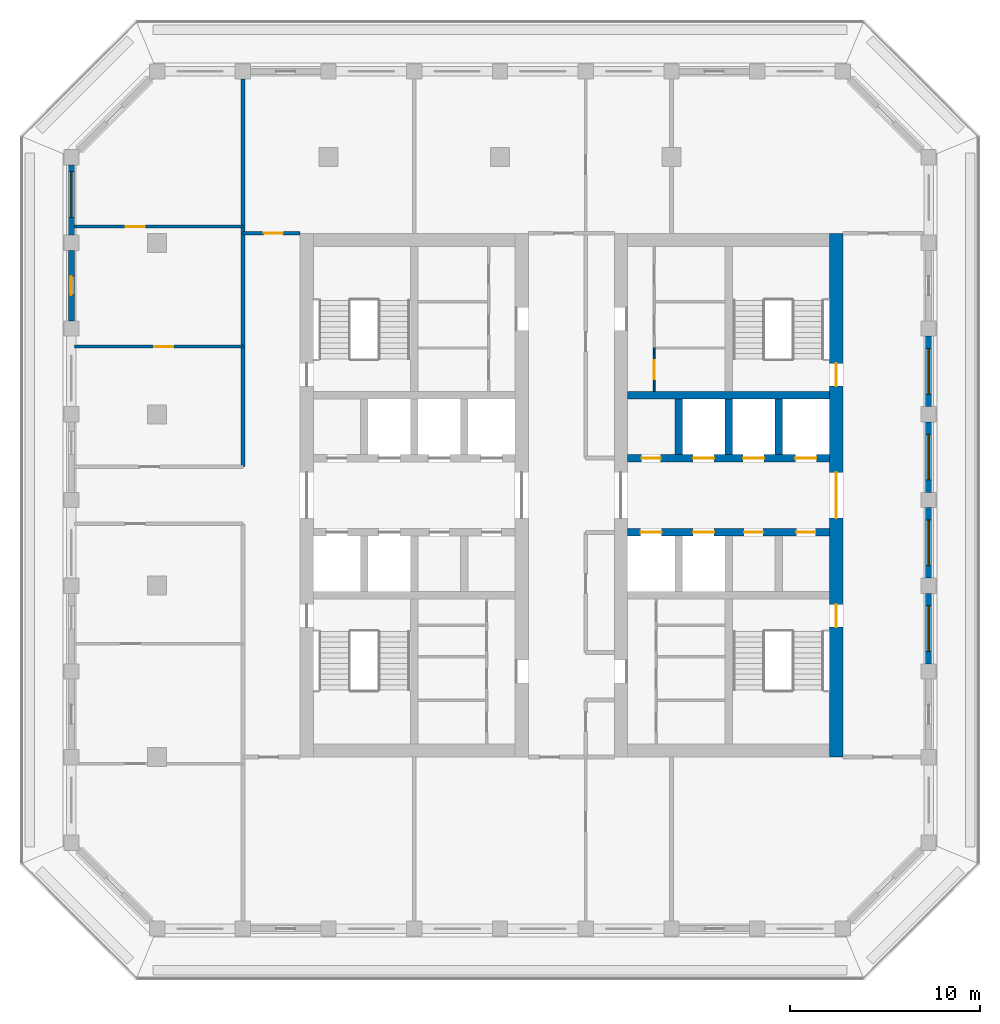
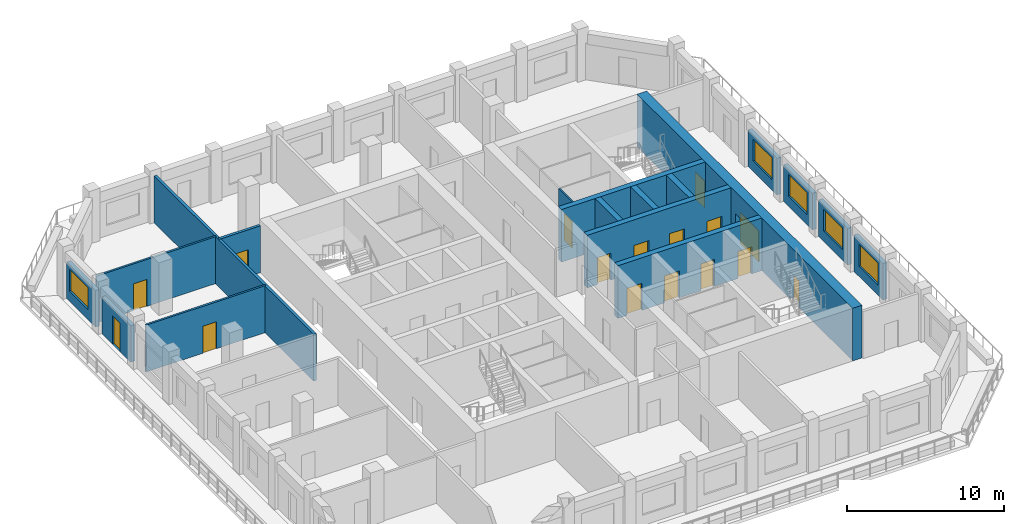
# One storey, part 5 of 14: 18 walls, 16 doors, 5 windows, 21 openings.
"""IFC4 building model written with IfcOpenShell, lengths in metres."""

from ifc_helpers import new_model, si_unit, direction, frame, frame_2d, origin, place, context, subcontext, project, spatial, rectangle, extrude, material, layer, layer_set, type_object, element, fill, save


model = new_model("IFC4")

# Units and contexts
model_context = context("Model", 3, precision=1e-05, world=origin(), true_north=direction((0.0, 1.0)))
body_context = subcontext(model_context, "Body", "Model", "MODEL_VIEW")
ifc_project = project(units=[si_unit("LENGTHUNIT", "METRE"), si_unit("AREAUNIT", "SQUARE_METRE"), si_unit("VOLUMEUNIT", "CUBIC_METRE"), si_unit("PLANEANGLEUNIT", "RADIAN"), si_unit("MASSUNIT", "GRAM", prefix="KILO")], contexts=[model_context])

# Site, building, storey
site_placement = place(None, origin())
site = spatial("IfcSite", under=ifc_project, at=site_placement, CompositionType="ELEMENT")
building_placement = place(site_placement, origin())
building = spatial("IfcBuilding", under=site, at=building_placement, Name="Corbel Stack Research Tower", CompositionType="ELEMENT")
storey_placement = place(building_placement, frame((0.0, 0.0, 286.800048828125)))
storey = spatial("IfcBuildingStorey", under=building, at=storey_placement, Name="L65", CompositionType="ELEMENT", Elevation=286.800048828125)

# Wall, openings, doors
ifc_material_1 = material(Name="Concrete C60/75", Category="concrete")
ifc_layer_1 = layer(ifc_material_1, 0.39990234375)
ifc_layer_set_1 = layer_set([ifc_layer_1], Name="Concrete C60/75")
wall_type_1 = type_object("IfcWallType", Name="CW-400-60", PredefinedType="SHEAR", material=ifc_layer_set_1)
wall_1_placement = place(storey_placement, frame((6.699951171875, 2.800048828125, 0.0), z_axis=(0.0, 0.0, 1.0), x_axis=(1.0, 0.0, 0.0)))
wall_1 = element("IfcWall", 1, at=wall_1_placement, inside=storey, type_object=wall_type_1, Name="East core wall, lobby south L65", PredefinedType="SHEAR", context=body_context, shape_type="SweptSolid", body=[
    extrude(rectangle(XDim=10.60009765625, YDim=0.39990234375, at=frame_2d((5.300048828125, 0.0))), origin(), (0.0, 0.0, 1.0), 4.099853515625),
])
opening_1_placement = place(wall_1_placement, frame((0.6875, 0.0, 0.0)))
opening_1 = element("IfcOpeningElement", 2, at=opening_1_placement, cuts=wall_1, Name="Opening LD-FS2", PredefinedType="OPENING", context=body_context, shape_type="SweptSolid", body=[
    extrude(rectangle(XDim=1.10009765625, YDim=2.10009765625, at=frame_2d((0.550048828125, 1.050048828125))), frame((0.0, 0.2099609375, 0.0), z_axis=(0.0, -1.0, 0.0), x_axis=(1.0, 0.0, 0.0)), (0.0, 0.0, 1.0), 0.419921875),
])
opening_2_placement = place(wall_1_placement, frame((3.4375, 0.0, 0.0)))
opening_2 = element("IfcOpeningElement", 3, at=opening_2_placement, cuts=wall_1, Name="Opening LD-GL2", PredefinedType="OPENING", context=body_context, shape_type="SweptSolid", body=[
    extrude(rectangle(XDim=1.10009765625, YDim=2.10009765625, at=frame_2d((0.550048828125, 1.050048828125))), frame((0.0, 0.2099609375, 0.0), z_axis=(0.0, -1.0, 0.0), x_axis=(1.0, 0.0, 0.0)), (0.0, 0.0, 1.0), 0.419921875),
])
opening_3_placement = place(wall_1_placement, frame((6.112548828125, 0.0, 0.0)))
opening_3 = element("IfcOpeningElement", 4, at=opening_3_placement, cuts=wall_1, Name="Opening CR-E42-S3", PredefinedType="OPENING", context=body_context, shape_type="SweptSolid", body=[
    extrude(rectangle(XDim=1.0, YDim=2.10009765625, at=frame_2d((0.5, 1.050048828125))), frame((0.0, 0.2099609375, 0.0), z_axis=(0.0, -1.0, 0.0), x_axis=(1.0, 0.0, 0.0)), (0.0, 0.0, 1.0), 0.419921875),
])
opening_4_placement = place(wall_1_placement, frame((8.862548828125, 0.0, 0.0)))
opening_4 = element("IfcOpeningElement", 5, at=opening_4_placement, cuts=wall_1, Name="Opening CR-E42-S4", PredefinedType="OPENING", context=body_context, shape_type="SweptSolid", body=[
    extrude(rectangle(XDim=1.0, YDim=2.10009765625, at=frame_2d((0.5, 1.050048828125))), frame((0.0, 0.2099609375, 0.0), z_axis=(0.0, -1.0, 0.0), x_axis=(1.0, 0.0, 0.0)), (0.0, 0.0, 1.0), 0.419921875),
])
ifc_material_2 = material(Name="Stainless steel landing door", Category="steel")
door_type_1 = type_object("IfcDoorType", Name="Lift landing door 1100 x 2100", OperationType="DOUBLE_DOOR_SLIDING", PredefinedType="DOOR", material=ifc_material_2)
door_1_placement = place(opening_1_placement, origin())
door_1 = element("IfcDoor", 6, at=door_1_placement, inside=storey, type_object=door_type_1, Name="Landing door FS2", OperationType="DOUBLE_DOOR_SLIDING", OverallHeight=2.10009765625, OverallWidth=1.10009765625, PredefinedType="DOOR", context=body_context, shape_type="SweptSolid", body=[
    extrude(rectangle(XDim=1.10009765625, YDim=2.10009765625, at=frame_2d((0.550048828125, 1.050048828125))), frame((0.0, 0.02490234375, 0.0), z_axis=(0.0, -1.0, 0.0), x_axis=(1.0, 0.0, 0.0)), (0.0, 0.0, 1.0), 0.050048828125),
])
fill(opening_1, door_1)
door_2_placement = place(opening_2_placement, origin())
door_2 = element("IfcDoor", 7, at=door_2_placement, inside=storey, type_object=door_type_1, Name="Landing door GL2", OperationType="DOUBLE_DOOR_SLIDING", OverallHeight=2.10009765625, OverallWidth=1.10009765625, PredefinedType="DOOR", context=body_context, shape_type="SweptSolid", body=[
    extrude(rectangle(XDim=1.10009765625, YDim=2.10009765625, at=frame_2d((0.550048828125, 1.050048828125))), frame((0.0, 0.02490234375, 0.0), z_axis=(0.0, -1.0, 0.0), x_axis=(1.0, 0.0, 0.0)), (0.0, 0.0, 1.0), 0.050048828125),
])
fill(opening_2, door_2)
ifc_material_3 = material(Name="Painted steel door", Category="steel")
door_type_2 = type_object("IfcDoorType", Name="Service door 1000 x 2100 FD60 left hand", OperationType="SINGLE_SWING_LEFT", PredefinedType="DOOR", material=ifc_material_3)
door_3_placement = place(opening_3_placement, origin())
door_3 = element("IfcDoor", 8, at=door_3_placement, inside=storey, type_object=door_type_2, Name="Laboratory consumables store door E core", OperationType="SINGLE_SWING_LEFT", OverallHeight=2.10009765625, OverallWidth=1.0, PredefinedType="DOOR", context=body_context, shape_type="SweptSolid", body=[
    extrude(rectangle(XDim=1.0, YDim=2.10009765625, at=frame_2d((0.5, 1.050048828125))), frame((0.0, 0.02490234375, 0.0), z_axis=(0.0, -1.0, 0.0), x_axis=(1.0, 0.0, 0.0)), (0.0, 0.0, 1.0), 0.050048828125),
])
fill(opening_3, door_3)
ifc_material_4 = material(Name="Painted steel door", Category="steel")
door_type_3 = type_object("IfcDoorType", Name="Service door 1000 x 2100 FD60 right hand", OperationType="SINGLE_SWING_RIGHT", PredefinedType="DOOR", material=ifc_material_4)
door_4_placement = place(opening_4_placement, origin())
door_4 = element("IfcDoor", 9, at=door_4_placement, inside=storey, type_object=door_type_3, Name="Cleaner's store door E core", OperationType="SINGLE_SWING_RIGHT", OverallHeight=2.10009765625, OverallWidth=1.0, PredefinedType="DOOR", context=body_context, shape_type="SweptSolid", body=[
    extrude(rectangle(XDim=1.0, YDim=2.10009765625, at=frame_2d((0.5, 1.050048828125))), frame((0.0, 0.02490234375, 0.0), z_axis=(0.0, -1.0, 0.0), x_axis=(1.0, 0.0, 0.0)), (0.0, 0.0, 1.0), 0.050048828125),
])
fill(opening_4, door_4)

wall_2_placement = place(storey_placement, frame((6.699951171875, 6.699951171875, 0.0), z_axis=(0.0, 0.0, 1.0), x_axis=(1.0, 0.0, 0.0)))
wall_2 = element("IfcWall", 10, at=wall_2_placement, inside=storey, type_object=wall_type_1, Name="East core wall, lobby north L65", PredefinedType="SHEAR", context=body_context, shape_type="SweptSolid", body=[
    extrude(rectangle(XDim=10.60009765625, YDim=0.39990234375, at=frame_2d((5.300048828125, 0.0))), origin(), (0.0, 0.0, 1.0), 4.099853515625),
])
opening_5_placement = place(wall_2_placement, frame((3.4375, 0.0, 0.0)))
opening_5 = element("IfcOpeningElement", 11, at=opening_5_placement, cuts=wall_2, Name="Opening LD-HR4", PredefinedType="OPENING", context=body_context, shape_type="SweptSolid", body=[
    extrude(rectangle(XDim=1.10009765625, YDim=2.10009765625, at=frame_2d((0.550048828125, 1.050048828125))), frame((0.0, 0.2099609375, 0.0), z_axis=(0.0, -1.0, 0.0), x_axis=(1.0, 0.0, 0.0)), (0.0, 0.0, 1.0), 0.419921875),
])
opening_6_placement = place(wall_2_placement, frame((6.0625, 0.0, 0.0)))
opening_6 = element("IfcOpeningElement", 12, at=opening_6_placement, cuts=wall_2, Name="Opening LD-HR5", PredefinedType="OPENING", context=body_context, shape_type="SweptSolid", body=[
    extrude(rectangle(XDim=1.10009765625, YDim=2.10009765625, at=frame_2d((0.550048828125, 1.050048828125))), frame((0.0, 0.2099609375, 0.0), z_axis=(0.0, -1.0, 0.0), x_axis=(1.0, 0.0, 0.0)), (0.0, 0.0, 1.0), 0.419921875),
])
opening_7_placement = place(wall_2_placement, frame((8.8125, 0.0, 0.0)))
opening_7 = element("IfcOpeningElement", 13, at=opening_7_placement, cuts=wall_2, Name="Opening LD-HR6", PredefinedType="OPENING", context=body_context, shape_type="SweptSolid", body=[
    extrude(rectangle(XDim=1.10009765625, YDim=2.10009765625, at=frame_2d((0.550048828125, 1.050048828125))), frame((0.0, 0.2099609375, 0.0), z_axis=(0.0, -1.0, 0.0), x_axis=(1.0, 0.0, 0.0)), (0.0, 0.0, 1.0), 0.419921875),
])
opening_8_placement = place(wall_2_placement, frame((0.737548828125, 0.0, 0.0)))
opening_8 = element("IfcOpeningElement", 14, at=opening_8_placement, cuts=wall_2, Name="Opening CR-E42-N1", PredefinedType="OPENING", context=body_context, shape_type="SweptSolid", body=[
    extrude(rectangle(XDim=1.0, YDim=2.10009765625, at=frame_2d((0.5, 1.050048828125))), frame((0.0, 0.2099609375, 0.0), z_axis=(0.0, -1.0, 0.0), x_axis=(1.0, 0.0, 0.0)), (0.0, 0.0, 1.0), 0.419921875),
])
door_5_placement = place(opening_5_placement, origin())
door_5 = element("IfcDoor", 15, at=door_5_placement, inside=storey, type_object=door_type_1, Name="Landing door HR4", OperationType="DOUBLE_DOOR_SLIDING", OverallHeight=2.10009765625, OverallWidth=1.10009765625, PredefinedType="DOOR", context=body_context, shape_type="SweptSolid", body=[
    extrude(rectangle(XDim=1.10009765625, YDim=2.10009765625, at=frame_2d((0.550048828125, 1.050048828125))), frame((0.0, 0.02490234375, 0.0), z_axis=(0.0, -1.0, 0.0), x_axis=(1.0, 0.0, 0.0)), (0.0, 0.0, 1.0), 0.050048828125),
])
fill(opening_5, door_5)
door_6_placement = place(opening_6_placement, origin())
door_6 = element("IfcDoor", 16, at=door_6_placement, inside=storey, type_object=door_type_1, Name="Landing door HR5", OperationType="DOUBLE_DOOR_SLIDING", OverallHeight=2.10009765625, OverallWidth=1.10009765625, PredefinedType="DOOR", context=body_context, shape_type="SweptSolid", body=[
    extrude(rectangle(XDim=1.10009765625, YDim=2.10009765625, at=frame_2d((0.550048828125, 1.050048828125))), frame((0.0, 0.02490234375, 0.0), z_axis=(0.0, -1.0, 0.0), x_axis=(1.0, 0.0, 0.0)), (0.0, 0.0, 1.0), 0.050048828125),
])
fill(opening_6, door_6)
door_7_placement = place(opening_7_placement, origin())
door_7 = element("IfcDoor", 17, at=door_7_placement, inside=storey, type_object=door_type_1, Name="Landing door HR6", OperationType="DOUBLE_DOOR_SLIDING", OverallHeight=2.10009765625, OverallWidth=1.10009765625, PredefinedType="DOOR", context=body_context, shape_type="SweptSolid", body=[
    extrude(rectangle(XDim=1.10009765625, YDim=2.10009765625, at=frame_2d((0.550048828125, 1.050048828125))), frame((0.0, 0.02490234375, 0.0), z_axis=(0.0, -1.0, 0.0), x_axis=(1.0, 0.0, 0.0)), (0.0, 0.0, 1.0), 0.050048828125),
])
fill(opening_7, door_7)
door_8_placement = place(opening_8_placement, origin())
door_8 = element("IfcDoor", 18, at=door_8_placement, inside=storey, type_object=door_type_2, Name="Vending bay door E core", OperationType="SINGLE_SWING_LEFT", OverallHeight=2.10009765625, OverallWidth=1.0, PredefinedType="DOOR", context=body_context, shape_type="SweptSolid", body=[
    extrude(rectangle(XDim=1.0, YDim=2.10009765625, at=frame_2d((0.5, 1.050048828125))), frame((0.0, 0.02490234375, 0.0), z_axis=(0.0, -1.0, 0.0), x_axis=(1.0, 0.0, 0.0)), (0.0, 0.0, 1.0), 0.050048828125),
])
fill(opening_8, door_8)

# Walls
wall_3_placement = place(storey_placement, frame((6.699951171875, 10.0, 0.0), z_axis=(0.0, 0.0, 1.0), x_axis=(1.0, 0.0, 0.0)))
element("IfcWall", 19, at=wall_3_placement, inside=storey, type_object=wall_type_1, Name="East core wall, north row back L65", PredefinedType="SHEAR", context=body_context, shape_type="SweptSolid", body=[
    extrude(rectangle(XDim=10.60009765625, YDim=0.39990234375, at=frame_2d((5.300048828125, 0.0))), origin(), (0.0, 0.0, 1.0), 4.099853515625),
])
for number, where, z_axis, x_axis, name in (
    (20, (9.375, 6.89990234375, 0.0), (0.0, 0.0, 1.0), (0.0, 1.0, 0.0), "East core wall, north shaft 1 L65"),
    (21, (12.0, 6.89990234375, 0.0), (0.0, 0.0, 1.0), (0.0, 1.0, 0.0), "East core wall, north shaft 2 L65"),
    (22, (14.625, 6.89990234375, 0.0), (0.0, 0.0, 1.0), (0.0, 1.0, 0.0), "East core wall, north shaft 3 L65"),
):
    element("IfcWall", number, at=place(storey_placement, frame(where, z_axis=z_axis, x_axis=x_axis)), inside=storey, type_object=wall_type_1, Name=name, PredefinedType="SHEAR", context=body_context, shape_type="SweptSolid", body=[
        extrude(rectangle(XDim=2.900146484375, YDim=0.39990234375, at=frame_2d((1.4501953125, 0.0))), origin(), (0.0, 0.0, 1.0), 4.099853515625),
    ])

# Wall, openings, doors
ifc_material_5 = material(Name="Concrete C60/75", Category="concrete")
ifc_layer_2 = layer(ifc_material_5, 0.699951171875)
ifc_layer_set_2 = layer_set([ifc_layer_2], Name="Concrete C60/75")
wall_type_2 = type_object("IfcWallType", Name="CW-700-60", PredefinedType="SHEAR", material=ifc_layer_set_2)
wall_4_placement = place(storey_placement, frame((17.64990234375, -9.0, 0.0), z_axis=(0.0, 0.0, 1.0), x_axis=(0.0, 1.0, 0.0)))
wall_4 = element("IfcWall", 23, at=wall_4_placement, inside=storey, type_object=wall_type_2, Name="East core wall, east face L65", PredefinedType="SHEAR", context=body_context, shape_type="SweptSolid", body=[
    extrude(rectangle(XDim=27.5, YDim=0.699951171875, at=frame_2d((13.75, 0.0))), origin(), (0.0, 0.0, 1.0), 4.099853515625),
])
opening_9_placement = place(wall_4_placement, frame((12.550048828125, 0.0, 0.0)))
opening_9 = element("IfcOpeningElement", 24, at=opening_9_placement, cuts=wall_4, Name="Opening CD-E-E", PredefinedType="OPENING", context=body_context, shape_type="SweptSolid", body=[
    extrude(rectangle(XDim=2.39990234375, YDim=2.39990234375, at=frame_2d((1.199951171875, 1.199951171875))), frame((0.0, 0.35986328125, 0.0), z_axis=(0.0, -1.0, 0.0), x_axis=(1.0, 0.0, 0.0)), (0.0, 0.0, 1.0), 0.719970703125),
])
opening_10_placement = place(wall_4_placement, frame((6.824951171875, 0.0, 0.0)))
opening_10 = element("IfcOpeningElement", 25, at=opening_10_placement, cuts=wall_4, Name="Opening SD-ST-E1", PredefinedType="OPENING", context=body_context, shape_type="SweptSolid", body=[
    extrude(rectangle(XDim=1.199951171875, YDim=2.10009765625, at=frame_2d((0.60009765625, 1.050048828125))), frame((0.0, 0.35986328125, 0.0), z_axis=(0.0, -1.0, 0.0), x_axis=(1.0, 0.0, 0.0)), (0.0, 0.0, 1.0), 0.719970703125),
])
opening_11_placement = place(wall_4_placement, frame((19.47509765625, 0.0, 0.0)))
opening_11 = element("IfcOpeningElement", 26, at=opening_11_placement, cuts=wall_4, Name="Opening SD-ST-E2", PredefinedType="OPENING", context=body_context, shape_type="SweptSolid", body=[
    extrude(rectangle(XDim=1.199951171875, YDim=2.10009765625, at=frame_2d((0.60009765625, 1.050048828125))), frame((0.0, 0.35986328125, 0.0), z_axis=(0.0, -1.0, 0.0), x_axis=(1.0, 0.0, 0.0)), (0.0, 0.0, 1.0), 0.719970703125),
])
ifc_material_6 = material(Name="Painted steel fire door", Category="steel")
door_type_4 = type_object("IfcDoorType", Name="Lobby door pair 2400 x 2400 FD30S", OperationType="DOUBLE_DOOR_DOUBLE_SWING", PredefinedType="DOOR", material=ifc_material_6)
door_9_placement = place(opening_9_placement, origin())
door_9 = element("IfcDoor", 27, at=door_9_placement, inside=storey, type_object=door_type_4, Name="Lift lobby door E core E", OperationType="DOUBLE_DOOR_DOUBLE_SWING", OverallHeight=2.39990234375, OverallWidth=2.39990234375, PredefinedType="DOOR", context=body_context, shape_type="SweptSolid", body=[
    extrude(rectangle(XDim=2.39990234375, YDim=2.39990234375, at=frame_2d((1.199951171875, 1.199951171875))), frame((0.0, 0.02490234375, 0.0), z_axis=(0.0, -1.0, 0.0), x_axis=(1.0, 0.0, 0.0)), (0.0, 0.0, 1.0), 0.050048828125),
])
fill(opening_9, door_9)
ifc_material_7 = material(Name="Painted steel fire door", Category="steel")
door_type_5 = type_object("IfcDoorType", Name="Stair door 1200 x 2100 FD90 right hand", OperationType="SINGLE_SWING_RIGHT", PredefinedType="DOOR", material=ifc_material_7)
door_10_placement = place(opening_10_placement, frame((1.199951171875, 0.0, 0.0), z_axis=(0.0, 0.0, 1.0), x_axis=(-1.0, 0.0, 0.0)))
door_10 = element("IfcDoor", 28, at=door_10_placement, inside=storey, type_object=door_type_5, Name="Stair door ST-E1", OperationType="SINGLE_SWING_LEFT", OverallHeight=2.10009765625, OverallWidth=1.199951171875, PredefinedType="DOOR", context=body_context, shape_type="SweptSolid", body=[
    extrude(rectangle(XDim=1.199951171875, YDim=2.10009765625, at=frame_2d((0.60009765625, 1.050048828125))), frame((0.0, 0.02490234375, 0.0), z_axis=(0.0, -1.0, 0.0), x_axis=(1.0, 0.0, 0.0)), (0.0, 0.0, 1.0), 0.050048828125),
])
fill(opening_10, door_10)
door_11_placement = place(opening_11_placement, frame((1.199951171875, 0.0, 0.0), z_axis=(0.0, 0.0, 1.0), x_axis=(-1.0, 0.0, 0.0)))
door_11 = element("IfcDoor", 29, at=door_11_placement, inside=storey, type_object=door_type_5, Name="Stair door ST-E2", OperationType="SINGLE_SWING_LEFT", OverallHeight=2.10009765625, OverallWidth=1.199951171875, PredefinedType="DOOR", context=body_context, shape_type="SweptSolid", body=[
    extrude(rectangle(XDim=1.199951171875, YDim=2.10009765625, at=frame_2d((0.60009765625, 1.050048828125))), frame((0.0, 0.02490234375, 0.0), z_axis=(0.0, -1.0, 0.0), x_axis=(1.0, 0.0, 0.0)), (0.0, 0.0, 1.0), 0.050048828125),
])
fill(opening_11, door_11)

# Wall, opening, door
ifc_material_8 = material(Name="Gypsum board")
ifc_layer_3 = layer(ifc_material_8, 0.10009765625)
ifc_layer_set_3 = layer_set([ifc_layer_3], Name="Gypsum board")
wall_type_3 = type_object("IfcWallType", Name="Core partition 100", PredefinedType="PARTITIONING", material=ifc_layer_set_3)
wall_5_placement = place(storey_placement, frame((8.10009765625, 10.199951171875, 0.0), z_axis=(0.0, 0.0, 1.0), x_axis=(0.0, 1.0, 0.0)))
wall_5 = element("IfcWall", 30, at=wall_5_placement, inside=storey, type_object=wall_type_3, Name="Core partition E", PredefinedType="PARTITIONING", context=body_context, shape_type="SweptSolid", body=[
    extrude(rectangle(XDim=2.280029296875, YDim=0.10009765625, at=frame_2d((1.14013671875, 0.0))), origin(), (0.0, 0.0, 1.0), 3.64990234375),
])
opening_12_placement = place(wall_5_placement, frame((0.639892578125, 0.0, 0.0)))
opening_12 = element("IfcOpeningElement", 31, at=opening_12_placement, cuts=wall_5, Name="Opening CR-E42-R2-1000", PredefinedType="OPENING", context=body_context, shape_type="SweptSolid", body=[
    extrude(rectangle(XDim=1.0, YDim=2.10009765625, at=frame_2d((0.5, 1.050048828125))), frame((0.0, 0.06005859375, 0.0), z_axis=(0.0, -1.0, 0.0), x_axis=(1.0, 0.0, 0.0)), (0.0, 0.0, 1.0), 0.1201171875),
])
ifc_material_9 = material(Name="Painted steel door", Category="steel")
door_type_6 = type_object("IfcDoorType", Name="Riser door 1000 x 2100 FD60 left hand", OperationType="SINGLE_SWING_LEFT", PredefinedType="DOOR", material=ifc_material_9)
door_12_placement = place(opening_12_placement, origin())
door_12 = element("IfcDoor", 32, at=door_12_placement, inside=storey, type_object=door_type_6, Name="Mechanical riser door E core", OperationType="SINGLE_SWING_LEFT", OverallHeight=2.10009765625, OverallWidth=1.0, PredefinedType="DOOR", context=body_context, shape_type="SweptSolid", body=[
    extrude(rectangle(XDim=1.0, YDim=2.10009765625, at=frame_2d((0.5, 1.050048828125))), frame((0.0, 0.02490234375, 0.0), z_axis=(0.0, -1.0, 0.0), x_axis=(1.0, 0.0, 0.0)), (0.0, 0.0, 1.0), 0.050048828125),
])
fill(opening_12, door_12)

# Wall
ifc_material_10 = material(Name="Fire-rated gypsum board partition on steel studs", Category="steel")
ifc_layer_4 = layer(ifc_material_10, 0.199951171875)
ifc_layer_set_4 = layer_set([ifc_layer_4], Name="Fire-rated gypsum board partition on steel studs")
wall_type_4 = type_object("IfcWallType", Name="Fire-rated partition 200 EI 60", PredefinedType="PARTITIONING", material=ifc_layer_set_4)
wall_6_placement = place(storey_placement, frame((-13.5, 6.25, 0.0), z_axis=(0.0, 0.0, 1.0), x_axis=(0.0, 1.0, 0.0)))
element("IfcWall", 33, at=wall_6_placement, inside=storey, type_object=wall_type_4, Name="Partition L65-002", PredefinedType="PARTITIONING", context=body_context, shape_type="SweptSolid", body=[
    extrude(rectangle(XDim=20.35009765625, YDim=0.199951171875, at=frame_2d((10.175048828125, 0.0))), origin(), (0.0, 0.0, 1.0), 3.64990234375),
])

# Wall, opening, door
wall_7_placement = place(storey_placement, frame((-13.5, 18.5, 0.0), z_axis=(0.0, 0.0, 1.0), x_axis=(1.0, 0.0, 0.0)))
wall_7 = element("IfcWall", 34, at=wall_7_placement, inside=storey, type_object=wall_type_4, Name="Partition L65-026", PredefinedType="PARTITIONING", context=body_context, shape_type="SweptSolid", body=[
    extrude(rectangle(XDim=3.0, YDim=0.199951171875, at=frame_2d((1.5, 0.0))), origin(), (0.0, 0.0, 1.0), 3.64990234375),
])
opening_13_placement = place(wall_7_placement, frame((1.10009765625, 0.0, 0.0)))
opening_13 = element("IfcOpeningElement", 35, at=opening_13_placement, cuts=wall_7, Name="Opening B8V2-014", PredefinedType="OPENING", context=body_context, shape_type="SweptSolid", body=[
    extrude(rectangle(XDim=1.0, YDim=2.10009765625, at=frame_2d((0.5, 1.050048828125))), frame((0.0, 0.10986328125, 0.0), z_axis=(0.0, -1.0, 0.0), x_axis=(1.0, 0.0, 0.0)), (0.0, 0.0, 1.0), 0.219970703125),
])
ifc_material_11 = material(Name="Painted steel fire door", Category="steel")
door_type_7 = type_object("IfcDoorType", Name="Fire door FD30S 1000 x 2100", OperationType="NOTDEFINED", PredefinedType="DOOR", material=ifc_material_11)
door_13_placement = place(opening_13_placement, origin())
door_13 = element("IfcDoor", 36, at=door_13_placement, inside=storey, type_object=door_type_7, Name="Door B8V2-014", OperationType="SINGLE_SWING_RIGHT", OverallHeight=2.10009765625, OverallWidth=1.0, PredefinedType="DOOR", context=body_context, shape_type="SweptSolid", body=[
    extrude(rectangle(XDim=1.0, YDim=2.10009765625, at=frame_2d((0.5, 1.050048828125))), frame((0.0, 0.02490234375, 0.0), z_axis=(0.0, -1.0, 0.0), x_axis=(1.0, 0.0, 0.0)), (0.0, 0.0, 1.0), 0.050048828125),
])
fill(opening_13, door_13)

ifc_material_12 = material(Name="Gypsum board partition on steel studs", Category="steel")
ifc_layer_5 = layer(ifc_material_12, 0.14990234375)
ifc_layer_set_5 = layer_set([ifc_layer_5], Name="Gypsum board partition on steel studs")
wall_type_5 = type_object("IfcWallType", Name="Partition 150", PredefinedType="PARTITIONING", material=ifc_layer_set_5)
wall_8_placement = place(storey_placement, frame((-22.35009765625, 12.550048828125, 0.0), z_axis=(0.0, 0.0, 1.0), x_axis=(1.0, 0.0, 0.0)))
wall_8 = element("IfcWall", 37, at=wall_8_placement, inside=storey, type_object=wall_type_5, Name="Partition L65-025", PredefinedType="PARTITIONING", context=body_context, shape_type="SweptSolid", body=[
    extrude(rectangle(XDim=8.85009765625, YDim=0.14990234375, at=frame_2d((4.425048828125, 0.0))), origin(), (0.0, 0.0, 1.0), 3.64990234375),
])
opening_14_placement = place(wall_8_placement, frame((4.199951171875, 0.0, 0.0)))
opening_14 = element("IfcOpeningElement", 38, at=opening_14_placement, cuts=wall_8, Name="Opening B8V2-013", PredefinedType="OPENING", context=body_context, shape_type="SweptSolid", body=[
    extrude(rectangle(XDim=1.0, YDim=2.10009765625, at=frame_2d((0.5, 1.050048828125))), frame((0.0, 0.0849609375, 0.0), z_axis=(0.0, -1.0, 0.0), x_axis=(1.0, 0.0, 0.0)), (0.0, 0.0, 1.0), 0.169921875),
])
ifc_material_13 = material(Name="Painted timber door", Category="wood")
door_type_8 = type_object("IfcDoorType", Name="Single door 1000 x 2100", OperationType="NOTDEFINED", PredefinedType="DOOR", material=ifc_material_13)
door_14_placement = place(opening_14_placement, origin())
door_14 = element("IfcDoor", 39, at=door_14_placement, inside=storey, type_object=door_type_8, Name="Door B8V2-013", OperationType="SINGLE_SWING_RIGHT", OverallHeight=2.10009765625, OverallWidth=1.0, PredefinedType="DOOR", context=body_context, shape_type="SweptSolid", body=[
    extrude(rectangle(XDim=1.0, YDim=2.10009765625, at=frame_2d((0.5, 1.050048828125))), frame((0.0, 0.02490234375, 0.0), z_axis=(0.0, -1.0, 0.0), x_axis=(1.0, 0.0, 0.0)), (0.0, 0.0, 1.0), 0.050048828125),
])
fill(opening_14, door_14)

wall_9_placement = place(storey_placement, frame((-22.35009765625, 18.85009765625, 0.0), z_axis=(0.0, 0.0, 1.0), x_axis=(1.0, 0.0, 0.0)))
wall_9 = element("IfcWall", 40, at=wall_9_placement, inside=storey, type_object=wall_type_5, Name="Partition L65-029", PredefinedType="PARTITIONING", context=body_context, shape_type="SweptSolid", body=[
    extrude(rectangle(XDim=8.85009765625, YDim=0.14990234375, at=frame_2d((4.425048828125, 0.0))), origin(), (0.0, 0.0, 1.0), 3.64990234375),
])
opening_15_placement = place(wall_9_placement, frame((2.699951171875, 0.0, 0.0)))
opening_15 = element("IfcOpeningElement", 41, at=opening_15_placement, cuts=wall_9, Name="Opening B8V2-017", PredefinedType="OPENING", context=body_context, shape_type="SweptSolid", body=[
    extrude(rectangle(XDim=1.0, YDim=2.10009765625, at=frame_2d((0.5, 1.050048828125))), frame((0.0, 0.0849609375, 0.0), z_axis=(0.0, -1.0, 0.0), x_axis=(1.0, 0.0, 0.0)), (0.0, 0.0, 1.0), 0.169921875),
])
door_15_placement = place(opening_15_placement, origin())
door_15 = element("IfcDoor", 42, at=door_15_placement, inside=storey, type_object=door_type_8, Name="Door B8V2-017", OperationType="SINGLE_SWING_LEFT", OverallHeight=2.10009765625, OverallWidth=1.0, PredefinedType="DOOR", context=body_context, shape_type="SweptSolid", body=[
    extrude(rectangle(XDim=1.0, YDim=2.10009765625, at=frame_2d((0.5, 1.050048828125))), frame((0.0, 0.02490234375, 0.0), z_axis=(0.0, -1.0, 0.0), x_axis=(1.0, 0.0, 0.0)), (0.0, 0.0, 1.0), 0.050048828125),
])
fill(opening_15, door_15)

# Wall, opening, window
ifc_material_14 = material(Name="Concrete C45/55", Category="concrete")
ifc_layer_6 = layer(ifc_material_14, 0.300048828125)
ifc_layer_set_6 = layer_set([ifc_layer_6], Name="Concrete C45/55")
wall_type_6 = type_object("IfcWallType", Name="Terracotta-faced concrete wall 300", PredefinedType="SOLIDWALL", material=ifc_layer_set_6)
wall_10_placement = place(storey_placement, frame((22.5, -0.39990234375, 0.0), z_axis=(0.0, 0.0, 1.0), x_axis=(0.0, -1.0, 0.0)))
wall_10 = element("IfcWall", 43, at=wall_10_placement, inside=storey, type_object=wall_type_6, Name="Facade wall L65 E03", PredefinedType="SOLIDWALL", context=body_context, shape_type="SweptSolid", body=[
    extrude(rectangle(XDim=3.7001953125, YDim=0.300048828125, at=frame_2d((1.85009765625, 0.0))), origin(), (0.0, 0.0, 1.0), 2.849853515625),
])
opening_16_placement = place(wall_10_placement, frame((0.64990234375, 0.0, 0.800048828125)))
opening_16 = element("IfcOpeningElement", 44, at=opening_16_placement, cuts=wall_10, Name="Opening W1", PredefinedType="OPENING", context=body_context, shape_type="SweptSolid", body=[
    extrude(rectangle(XDim=2.39990234375, YDim=1.699951171875, at=frame_2d((1.199951171875, 0.85009765625))), frame((0.0, 0.159912109375, 0.0), z_axis=(0.0, -1.0, 0.0), x_axis=(1.0, 0.0, 0.0)), (0.0, 0.0, 1.0), 0.320068359375),
])
ifc_material_15 = material(Name="Aluminium frame, clear double glazing", Category="aluminium")
window_type = type_object("IfcWindowType", Name="Window W1 2400 x 1700", PartitioningType="SINGLE_PANEL", PredefinedType="WINDOW", material=ifc_material_15)
window_1_placement = place(opening_16_placement, origin())
window_1 = element("IfcWindow", 45, at=window_1_placement, inside=storey, type_object=window_type, Name="Window W1 L65 E03", OverallHeight=1.699951171875, OverallWidth=2.39990234375, PartitioningType="SINGLE_PANEL", PredefinedType="WINDOW", context=body_context, shape_type="SweptSolid", body=[
    extrude(rectangle(XDim=2.39990234375, YDim=1.699951171875, at=frame_2d((1.199951171875, 0.85009765625))), frame((0.0, 0.030029296875, 0.0), z_axis=(0.0, -1.0, 0.0), x_axis=(1.0, 0.0, 0.0)), (0.0, 0.0, 1.0), 0.06005859375),
])
fill(opening_16, window_1)

wall_11_placement = place(storey_placement, frame((22.5, 4.10009765625, 0.0), z_axis=(0.0, 0.0, 1.0), x_axis=(0.0, -1.0, 0.0)))
wall_11 = element("IfcWall", 46, at=wall_11_placement, inside=storey, type_object=wall_type_6, Name="Facade wall L65 E04", PredefinedType="SOLIDWALL", context=body_context, shape_type="SweptSolid", body=[
    extrude(rectangle(XDim=3.7001953125, YDim=0.300048828125, at=frame_2d((1.85009765625, 0.0))), origin(), (0.0, 0.0, 1.0), 2.849853515625),
])
opening_17_placement = place(wall_11_placement, frame((0.64990234375, 0.0, 0.800048828125)))
opening_17 = element("IfcOpeningElement", 47, at=opening_17_placement, cuts=wall_11, Name="Opening W1", PredefinedType="OPENING", context=body_context, shape_type="SweptSolid", body=[
    extrude(rectangle(XDim=2.39990234375, YDim=1.699951171875, at=frame_2d((1.199951171875, 0.85009765625))), frame((0.0, 0.159912109375, 0.0), z_axis=(0.0, -1.0, 0.0), x_axis=(1.0, 0.0, 0.0)), (0.0, 0.0, 1.0), 0.320068359375),
])
window_2_placement = place(opening_17_placement, origin())
window_2 = element("IfcWindow", 48, at=window_2_placement, inside=storey, type_object=window_type, Name="Window W1 L65 E04", OverallHeight=1.699951171875, OverallWidth=2.39990234375, PartitioningType="SINGLE_PANEL", PredefinedType="WINDOW", context=body_context, shape_type="SweptSolid", body=[
    extrude(rectangle(XDim=2.39990234375, YDim=1.699951171875, at=frame_2d((1.199951171875, 0.85009765625))), frame((0.0, 0.030029296875, 0.0), z_axis=(0.0, -1.0, 0.0), x_axis=(1.0, 0.0, 0.0)), (0.0, 0.0, 1.0), 0.06005859375),
])
fill(opening_17, window_2)

wall_12_placement = place(storey_placement, frame((22.5, 8.60009765625, 0.0), z_axis=(0.0, 0.0, 1.0), x_axis=(0.0, -1.0, 0.0)))
wall_12 = element("IfcWall", 49, at=wall_12_placement, inside=storey, type_object=wall_type_6, Name="Facade wall L65 E05", PredefinedType="SOLIDWALL", context=body_context, shape_type="SweptSolid", body=[
    extrude(rectangle(XDim=3.7001953125, YDim=0.300048828125, at=frame_2d((1.85009765625, 0.0))), origin(), (0.0, 0.0, 1.0), 2.849853515625),
])
opening_18_placement = place(wall_12_placement, frame((0.64990234375, 0.0, 0.800048828125)))
opening_18 = element("IfcOpeningElement", 50, at=opening_18_placement, cuts=wall_12, Name="Opening W1", PredefinedType="OPENING", context=body_context, shape_type="SweptSolid", body=[
    extrude(rectangle(XDim=2.39990234375, YDim=1.699951171875, at=frame_2d((1.199951171875, 0.85009765625))), frame((0.0, 0.159912109375, 0.0), z_axis=(0.0, -1.0, 0.0), x_axis=(1.0, 0.0, 0.0)), (0.0, 0.0, 1.0), 0.320068359375),
])
window_3_placement = place(opening_18_placement, origin())
window_3 = element("IfcWindow", 51, at=window_3_placement, inside=storey, type_object=window_type, Name="Window W1 L65 E05", OverallHeight=1.699951171875, OverallWidth=2.39990234375, PartitioningType="SINGLE_PANEL", PredefinedType="WINDOW", context=body_context, shape_type="SweptSolid", body=[
    extrude(rectangle(XDim=2.39990234375, YDim=1.699951171875, at=frame_2d((1.199951171875, 0.85009765625))), frame((0.0, 0.030029296875, 0.0), z_axis=(0.0, -1.0, 0.0), x_axis=(1.0, 0.0, 0.0)), (0.0, 0.0, 1.0), 0.06005859375),
])
fill(opening_18, window_3)

wall_13_placement = place(storey_placement, frame((22.5, 13.10009765625, 0.0), z_axis=(0.0, 0.0, 1.0), x_axis=(0.0, -1.0, 0.0)))
wall_13 = element("IfcWall", 52, at=wall_13_placement, inside=storey, type_object=wall_type_6, Name="Facade wall L65 E06", PredefinedType="SOLIDWALL", context=body_context, shape_type="SweptSolid", body=[
    extrude(rectangle(XDim=3.7001953125, YDim=0.300048828125, at=frame_2d((1.85009765625, 0.0))), origin(), (0.0, 0.0, 1.0), 2.849853515625),
])
opening_19_placement = place(wall_13_placement, frame((0.64990234375, 0.0, 0.800048828125)))
opening_19 = element("IfcOpeningElement", 53, at=opening_19_placement, cuts=wall_13, Name="Opening W1", PredefinedType="OPENING", context=body_context, shape_type="SweptSolid", body=[
    extrude(rectangle(XDim=2.39990234375, YDim=1.699951171875, at=frame_2d((1.199951171875, 0.85009765625))), frame((0.0, 0.159912109375, 0.0), z_axis=(0.0, -1.0, 0.0), x_axis=(1.0, 0.0, 0.0)), (0.0, 0.0, 1.0), 0.320068359375),
])
window_4_placement = place(opening_19_placement, origin())
window_4 = element("IfcWindow", 54, at=window_4_placement, inside=storey, type_object=window_type, Name="Window W1 L65 E06", OverallHeight=1.699951171875, OverallWidth=2.39990234375, PartitioningType="SINGLE_PANEL", PredefinedType="WINDOW", context=body_context, shape_type="SweptSolid", body=[
    extrude(rectangle(XDim=2.39990234375, YDim=1.699951171875, at=frame_2d((1.199951171875, 0.85009765625))), frame((0.0, 0.030029296875, 0.0), z_axis=(0.0, -1.0, 0.0), x_axis=(1.0, 0.0, 0.0)), (0.0, 0.0, 1.0), 0.06005859375),
])
fill(opening_19, window_4)

wall_14_placement = place(storey_placement, frame((-22.5, 18.39990234375, 0.0), z_axis=(0.0, 0.0, 1.0), x_axis=(0.0, 1.0, 0.0)))
wall_14 = element("IfcWall", 55, at=wall_14_placement, inside=storey, type_object=wall_type_6, Name="Facade wall L65 W01", PredefinedType="SOLIDWALL", context=body_context, shape_type="SweptSolid", body=[
    extrude(rectangle(XDim=3.7001953125, YDim=0.300048828125, at=frame_2d((1.85009765625, 0.0))), origin(), (0.0, 0.0, 1.0), 2.849853515625),
])
opening_20_placement = place(wall_14_placement, frame((0.9375, 0.0, 0.800048828125)))
opening_20 = element("IfcOpeningElement", 56, at=opening_20_placement, cuts=wall_14, Name="Opening W1", PredefinedType="OPENING", context=body_context, shape_type="SweptSolid", body=[
    extrude(rectangle(XDim=2.39990234375, YDim=1.699951171875, at=frame_2d((1.199951171875, 0.85009765625))), frame((0.0, 0.159912109375, 0.0), z_axis=(0.0, -1.0, 0.0), x_axis=(1.0, 0.0, 0.0)), (0.0, 0.0, 1.0), 0.320068359375),
])
window_5_placement = place(opening_20_placement, origin())
window_5 = element("IfcWindow", 57, at=window_5_placement, inside=storey, type_object=window_type, Name="Window W1 L65 W01", OverallHeight=1.699951171875, OverallWidth=2.39990234375, PartitioningType="SINGLE_PANEL", PredefinedType="WINDOW", context=body_context, shape_type="SweptSolid", body=[
    extrude(rectangle(XDim=2.39990234375, YDim=1.699951171875, at=frame_2d((1.199951171875, 0.85009765625))), frame((0.0, 0.030029296875, 0.0), z_axis=(0.0, -1.0, 0.0), x_axis=(1.0, 0.0, 0.0)), (0.0, 0.0, 1.0), 0.06005859375),
])
fill(opening_20, window_5)

# Wall, opening, door
wall_15_placement = place(storey_placement, frame((-22.5, 13.89990234375, 0.0), z_axis=(0.0, 0.0, 1.0), x_axis=(0.0, 1.0, 0.0)))
wall_15 = element("IfcWall", 58, at=wall_15_placement, inside=storey, type_object=wall_type_6, Name="Facade wall L65 W02", PredefinedType="SOLIDWALL", context=body_context, shape_type="SweptSolid", body=[
    extrude(rectangle(XDim=3.7001953125, YDim=0.300048828125, at=frame_2d((1.85009765625, 0.0))), origin(), (0.0, 0.0, 1.0), 2.849853515625),
])
opening_21_placement = place(wall_15_placement, frame((1.35009765625, 0.0, 0.0)))
opening_21 = element("IfcOpeningElement", 59, at=opening_21_placement, cuts=wall_15, Name="Opening L65-B10", PredefinedType="OPENING", context=body_context, shape_type="SweptSolid", body=[
    extrude(rectangle(XDim=1.0, YDim=2.199951171875, at=frame_2d((0.5, 1.10009765625))), frame((0.0, 0.159912109375, 0.0), z_axis=(0.0, -1.0, 0.0), x_axis=(1.0, 0.0, 0.0)), (0.0, 0.0, 1.0), 0.320068359375),
])
ifc_material_16 = material(Name="Aluminium frame, clear double glazing", Category="aluminium")
door_type_9 = type_object("IfcDoorType", Name="Balcony door BD1 1000 x 2200", OperationType="NOTDEFINED", PredefinedType="DOOR", material=ifc_material_16)
door_16_placement = place(opening_21_placement, origin())
door_16 = element("IfcDoor", 60, at=door_16_placement, inside=storey, type_object=door_type_9, Name="Balcony door L65-B10", OperationType="SINGLE_SWING_LEFT", OverallHeight=2.199951171875, OverallWidth=1.0, PredefinedType="DOOR", context=body_context, shape_type="SweptSolid", body=[
    extrude(rectangle(XDim=1.0, YDim=2.199951171875, at=frame_2d((0.5, 1.10009765625))), frame((0.0, 0.02490234375, 0.0), z_axis=(0.0, -1.0, 0.0), x_axis=(1.0, 0.0, 0.0)), (0.0, 0.0, 1.0), 0.050048828125),
])
fill(opening_21, door_16)

save(model, "model.ifc")
